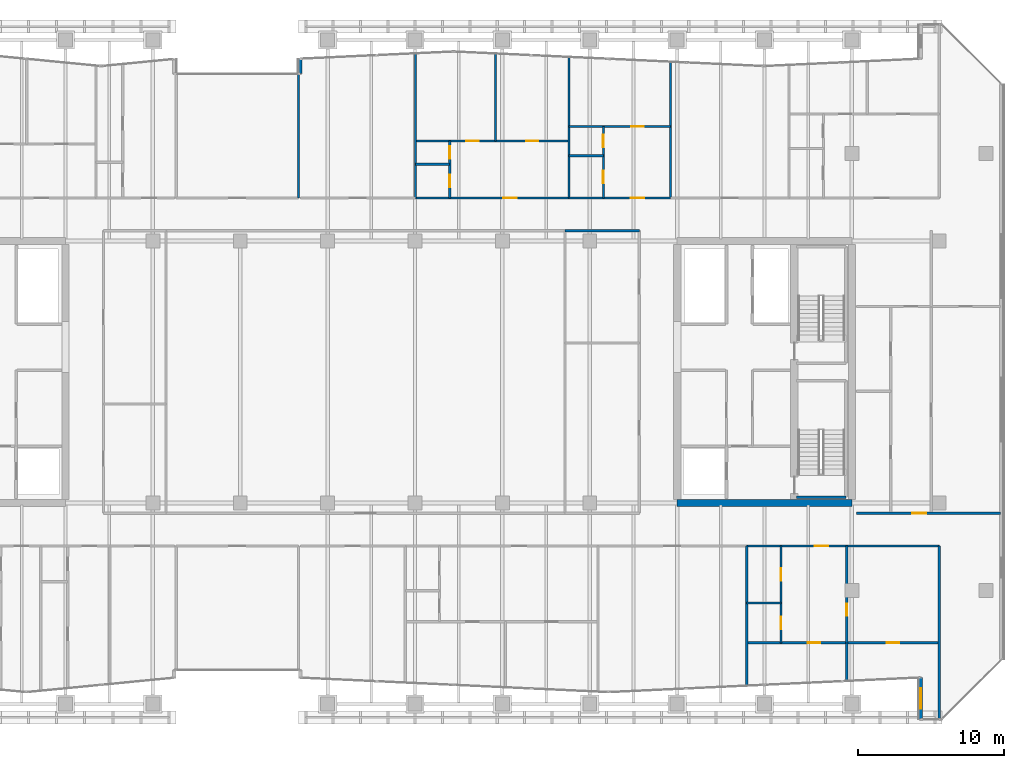
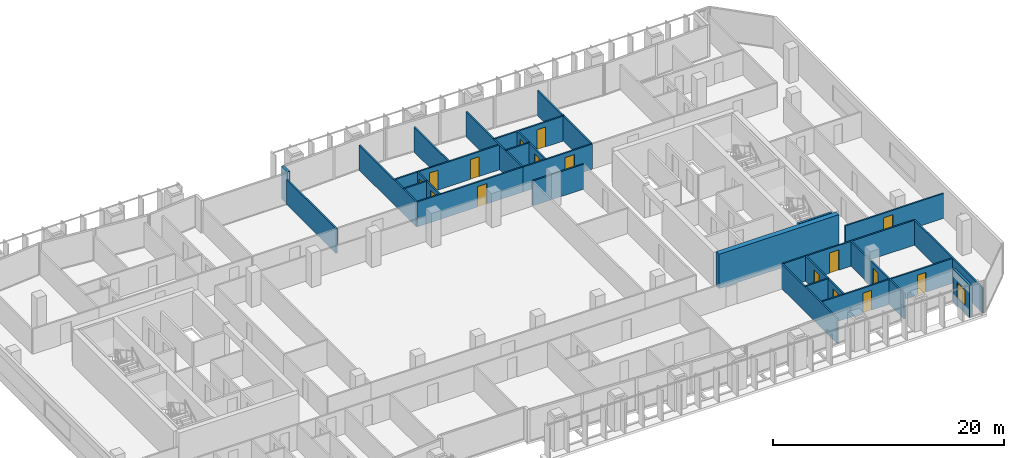
# One storey, part 30 of 39: 27 walls, 16 doors, 1 window, 17 openings.
"""IFC4 building model written with IfcOpenShell, lengths in metres."""

from ifc_helpers import new_model, si_unit, direction, frame, frame_2d, origin, place, context, subcontext, project, spatial, rectangle, extrude, material, layer, layer_set, type_object, element, fill, save


model = new_model("IFC4")

# Units and contexts
model_context = context("Model", 3, precision=1e-05, world=origin(), true_north=direction((0.0, 1.0)))
body_context = subcontext(model_context, "Body", "Model", "MODEL_VIEW")
ifc_project = project(units=[si_unit("LENGTHUNIT", "METRE"), si_unit("AREAUNIT", "SQUARE_METRE"), si_unit("VOLUMEUNIT", "CUBIC_METRE"), si_unit("PLANEANGLEUNIT", "RADIAN"), si_unit("MASSUNIT", "GRAM", prefix="KILO")], contexts=[model_context])

# Site, building, storey
site_placement = place(None, origin())
site = spatial("IfcSite", under=ifc_project, at=site_placement, CompositionType="ELEMENT")
building_placement = place(site_placement, origin())
building = spatial("IfcBuilding", under=site, at=building_placement, Name="Tanjung Sevakor Pilgrim Tower", CompositionType="ELEMENT")
storey_placement = place(building_placement, frame((0.0, 0.0, 112.199951171875)))
storey = spatial("IfcBuildingStorey", under=building, at=storey_placement, Name="L31", CompositionType="ELEMENT", Elevation=112.199951171875)

# Walls
ifc_material_1 = material(Name="Concrete C60/75", Category="concrete")
ifc_layer_1 = layer(ifc_material_1, 0.5)
ifc_layer_set_1 = layer_set([ifc_layer_1], Name="WALL-CW-500")
wall_type_1 = type_object("IfcWallType", Name="WALL-CW-500", PredefinedType="SHEAR", material=ifc_layer_set_1)
wall_1_placement = place(storey_placement, frame((78.0, 24.60009765625, 0.0), z_axis=(0.0, 0.0, 1.0), x_axis=(1.0, 0.0, 0.0)))
element("IfcWall", 1, at=wall_1_placement, inside=storey, type_object=wall_type_1, Name="L31 E Core South Shear Wall", PredefinedType="SHEAR", context=body_context, shape_type="SweptSolid", body=[
    extrude(rectangle(XDim=12.0, YDim=0.5, at=frame_2d((6.0, 0.0))), origin(), (0.0, 0.0, 1.0), 3.630126953125),
])
ifc_material_2 = material(Name="Concrete C40/50", Category="concrete")
ifc_layer_2 = layer(ifc_material_2, 0.14990234375)
ifc_layer_set_2 = layer_set([ifc_layer_2], Name="WT-COMP-150")
wall_type_2 = type_object("IfcWallType", Name="WT-COMP-150", PredefinedType="SOLIDWALL", material=ifc_layer_set_2)
wall_2_placement = place(storey_placement, frame((70.300048828125, 43.300048828125, 0.0), z_axis=(0.0, 0.0, 1.0), x_axis=(1.0, 0.0, 0.0)))
element("IfcWall", 2, at=wall_2_placement, inside=storey, type_object=wall_type_2, Name="L31 Partition IW-L31-033", PredefinedType="SOLIDWALL", context=body_context, shape_type="SweptSolid", body=[
    extrude(rectangle(XDim=5.099853515625, YDim=0.14990234375, at=frame_2d((2.5498046875, 0.0))), origin(), (0.0, 0.0, 1.0), 2.6298828125),
])

# Wall, opening, door
wall_3_placement = place(storey_placement, frame((90.320068359375, 23.89990234375, 0.0), z_axis=(0.0, 0.0, 1.0), x_axis=(1.0, 0.0, 0.0)))
wall_3 = element("IfcWall", 3, at=wall_3_placement, inside=storey, type_object=wall_type_2, Name="L31 Partition IW-L31-041", PredefinedType="SOLIDWALL", context=body_context, shape_type="SweptSolid", body=[
    extrude(rectangle(XDim=9.869873046875, YDim=0.14990234375, at=frame_2d((4.93505859375, 0.0))), origin(), (0.0, 0.0, 1.0), 2.6298828125),
])
opening_1_placement = place(wall_3_placement, frame((3.820068359375, 0.0, 0.0)))
opening_1 = element("IfcOpeningElement", 4, at=opening_1_placement, cuts=wall_3, Name="Opening ID-FD2", PredefinedType="OPENING", context=body_context, shape_type="SweptSolid", body=[
    extrude(rectangle(XDim=0.949951171875, YDim=2.14990234375, at=frame_2d((0.47509765625, 1.074951171875))), frame((0.0, 0.0849609375, 0.0), z_axis=(0.0, -1.0, 0.0), x_axis=(1.0, 0.0, 0.0)), (0.0, 0.0, 1.0), 0.169921875),
])
ifc_material_3 = material(Name="Fire-Rated Timber", Category="wood")
door_type_1 = type_object("IfcDoorType", Name="DT-FIRE-950", OperationType="NOTDEFINED", PredefinedType="DOOR", material=ifc_material_3)
door_1_placement = place(opening_1_placement, origin())
door_1 = element("IfcDoor", 5, at=door_1_placement, inside=storey, type_object=door_type_1, Name="Suite Entrance", OperationType="SINGLE_SWING_LEFT", OverallHeight=2.14990234375, OverallWidth=0.949951171875, PredefinedType="DOOR", context=body_context, shape_type="SweptSolid", body=[
    extrude(rectangle(XDim=0.949951171875, YDim=2.14990234375, at=frame_2d((0.47509765625, 1.074951171875))), frame((0.0, 0.02490234375, 0.0), z_axis=(0.0, -1.0, 0.0), x_axis=(1.0, 0.0, 0.0)), (0.0, 0.0, 1.0), 0.050048828125),
])
fill(opening_1, door_1)

# Walls
wall_4_placement = place(storey_placement, frame((52.0, 45.550048828125, 0.0), z_axis=(0.0, 0.0, 1.0), x_axis=(0.0, 1.0, 0.0)))
element("IfcWall", 6, at=wall_4_placement, inside=storey, type_object=wall_type_2, Name="L31 Partition IW-L31-047", PredefinedType="SOLIDWALL", context=body_context, shape_type="SweptSolid", body=[
    extrude(rectangle(XDim=8.52490234375, YDim=0.14990234375, at=frame_2d((4.262451171875, 0.0))), origin(), (0.0, 0.0, 1.0), 2.6298828125),
])
wall_5_placement = place(storey_placement, frame((96.0, 9.72509765625, 0.0), z_axis=(0.0, 0.0, 1.0), x_axis=(0.0, 1.0, 0.0)))
element("IfcWall", 7, at=wall_5_placement, inside=storey, type_object=wall_type_2, Name="L31 Partition IW-L31-064", PredefinedType="SOLIDWALL", context=body_context, shape_type="SweptSolid", body=[
    extrude(rectangle(XDim=11.9248046875, YDim=0.14990234375, at=frame_2d((5.96240234375, 0.0))), origin(), (0.0, 0.0, 1.0), 2.6298828125),
])
wall_6_placement = place(storey_placement, frame((82.77587890625, 12.050048828125, 0.0), z_axis=(0.0, 0.0, 1.0), x_axis=(0.0, 1.0, 0.0)))
element("IfcWall", 8, at=wall_6_placement, inside=storey, type_object=wall_type_2, Name="L31 Partition IW-L31-073", PredefinedType="SOLIDWALL", context=body_context, shape_type="SweptSolid", body=[
    extrude(rectangle(XDim=9.599853515625, YDim=0.14990234375, at=frame_2d((4.7998046875, 0.0))), origin(), (0.0, 0.0, 1.0), 2.6298828125),
])

# Wall, opening, door
wall_7_placement = place(storey_placement, frame((82.77587890625, 21.64990234375, 0.0), z_axis=(0.0, 0.0, 1.0), x_axis=(1.0, 0.0, 0.0)))
wall_7 = element("IfcWall", 9, at=wall_7_placement, inside=storey, type_object=wall_type_2, Name="L31 Partition IW-L31-080", PredefinedType="SOLIDWALL", context=body_context, shape_type="SweptSolid", body=[
    extrude(rectangle(XDim=13.22412109375, YDim=0.14990234375, at=frame_2d((6.612060546875, 0.0))), origin(), (0.0, 0.0, 1.0), 2.6298828125),
])
opening_2_placement = place(wall_7_placement, frame((4.658447265625, 0.0, 0.0)))
opening_2 = element("IfcOpeningElement", 10, at=opening_2_placement, cuts=wall_7, Name="Opening ID-FD2", PredefinedType="OPENING", context=body_context, shape_type="SweptSolid", body=[
    extrude(rectangle(XDim=0.949951171875, YDim=2.14990234375, at=frame_2d((0.47509765625, 1.074951171875))), frame((0.0, 0.0849609375, 0.0), z_axis=(0.0, -1.0, 0.0), x_axis=(1.0, 0.0, 0.0)), (0.0, 0.0, 1.0), 0.169921875),
])
door_2_placement = place(opening_2_placement, origin())
door_2 = element("IfcDoor", 11, at=door_2_placement, inside=storey, type_object=door_type_1, Name="Suite Entrance", OperationType="SINGLE_SWING_RIGHT", OverallHeight=2.14990234375, OverallWidth=0.949951171875, PredefinedType="DOOR", context=body_context, shape_type="SweptSolid", body=[
    extrude(rectangle(XDim=0.949951171875, YDim=2.14990234375, at=frame_2d((0.47509765625, 1.074951171875))), frame((0.0, 0.02490234375, 0.0), z_axis=(0.0, -1.0, 0.0), x_axis=(1.0, 0.0, 0.0)), (0.0, 0.0, 1.0), 0.050048828125),
])
fill(opening_2, door_2)

# Walls
wall_8_placement = place(storey_placement, frame((60.03271484375, 45.550048828125, 0.0), z_axis=(0.0, 0.0, 1.0), x_axis=(0.0, 1.0, 0.0)))
element("IfcWall", 12, at=wall_8_placement, inside=storey, type_object=wall_type_2, Name="L31 Partition IW-L31-094", PredefinedType="SOLIDWALL", context=body_context, shape_type="SweptSolid", body=[
    extrude(rectangle(XDim=9.921875, YDim=0.14990234375, at=frame_2d((4.9609375, 0.0))), origin(), (0.0, 0.0, 1.0), 2.6298828125),
])
wall_9_placement = place(storey_placement, frame((70.583251953125, 45.550048828125, 0.0), z_axis=(0.0, 0.0, 1.0), x_axis=(0.0, 1.0, 0.0)))
element("IfcWall", 13, at=wall_9_placement, inside=storey, type_object=wall_type_2, Name="L31 Partition IW-L31-096", PredefinedType="SOLIDWALL", context=body_context, shape_type="SweptSolid", body=[
    extrude(rectangle(XDim=9.67236328125, YDim=0.14990234375, at=frame_2d((4.836181640625, 0.0))), origin(), (0.0, 0.0, 1.0), 2.6298828125),
])

# Wall, opening, door
wall_10_placement = place(storey_placement, frame((60.03271484375, 45.550048828125, 0.0), z_axis=(0.0, 0.0, 1.0), x_axis=(1.0, 0.0, 0.0)))
wall_10 = element("IfcWall", 14, at=wall_10_placement, inside=storey, type_object=wall_type_2, Name="L31 Partition IW-L31-101", PredefinedType="SOLIDWALL", context=body_context, shape_type="SweptSolid", body=[
    extrude(rectangle(XDim=10.550537109375, YDim=0.14990234375, at=frame_2d((5.275390625, 0.0))), origin(), (0.0, 0.0, 1.0), 2.6298828125),
])
opening_3_placement = place(wall_10_placement, frame((6.01513671875, 0.0, 0.0)))
opening_3 = element("IfcOpeningElement", 15, at=opening_3_placement, cuts=wall_10, Name="Opening ID-FD2", PredefinedType="OPENING", context=body_context, shape_type="SweptSolid", body=[
    extrude(rectangle(XDim=0.949951171875, YDim=2.14990234375, at=frame_2d((0.47509765625, 1.074951171875))), frame((0.0, 0.0849609375, 0.0), z_axis=(0.0, -1.0, 0.0), x_axis=(1.0, 0.0, 0.0)), (0.0, 0.0, 1.0), 0.169921875),
])
door_3_placement = place(opening_3_placement, origin())
door_3 = element("IfcDoor", 16, at=door_3_placement, inside=storey, type_object=door_type_1, Name="Suite Entrance", OperationType="SINGLE_SWING_LEFT", OverallHeight=2.14990234375, OverallWidth=0.949951171875, PredefinedType="DOOR", context=body_context, shape_type="SweptSolid", body=[
    extrude(rectangle(XDim=0.949951171875, YDim=2.14990234375, at=frame_2d((0.47509765625, 1.074951171875))), frame((0.0, 0.02490234375, 0.0), z_axis=(0.0, -1.0, 0.0), x_axis=(1.0, 0.0, 0.0)), (0.0, 0.0, 1.0), 0.050048828125),
])
fill(opening_3, door_3)

# Wall
wall_11_placement = place(storey_placement, frame((77.536865234375, 45.550048828125, 0.0), z_axis=(0.0, 0.0, 1.0), x_axis=(0.0, 1.0, 0.0)))
element("IfcWall", 17, at=wall_11_placement, inside=storey, type_object=wall_type_2, Name="L31 Partition IW-L31-102", PredefinedType="SOLIDWALL", context=body_context, shape_type="SweptSolid", body=[
    extrude(rectangle(XDim=9.345947265625, YDim=0.14990234375, at=frame_2d((4.6728515625, 0.0))), origin(), (0.0, 0.0, 1.0), 2.6298828125),
])

# Wall, opening, door
wall_12_placement = place(storey_placement, frame((70.583251953125, 45.550048828125, 0.0), z_axis=(0.0, 0.0, 1.0), x_axis=(1.0, 0.0, 0.0)))
wall_12 = element("IfcWall", 18, at=wall_12_placement, inside=storey, type_object=wall_type_2, Name="L31 Partition IW-L31-106", PredefinedType="SOLIDWALL", context=body_context, shape_type="SweptSolid", body=[
    extrude(rectangle(XDim=6.95361328125, YDim=0.14990234375, at=frame_2d((3.476806640625, 0.0))), origin(), (0.0, 0.0, 1.0), 2.6298828125),
])
opening_4_placement = place(wall_12_placement, frame((4.216796875, 0.0, 0.0)))
opening_4 = element("IfcOpeningElement", 19, at=opening_4_placement, cuts=wall_12, Name="Opening ID-FD2", PredefinedType="OPENING", context=body_context, shape_type="SweptSolid", body=[
    extrude(rectangle(XDim=0.949951171875, YDim=2.14990234375, at=frame_2d((0.47509765625, 1.074951171875))), frame((0.0, 0.0849609375, 0.0), z_axis=(0.0, -1.0, 0.0), x_axis=(1.0, 0.0, 0.0)), (0.0, 0.0, 1.0), 0.169921875),
])
door_4_placement = place(opening_4_placement, origin())
door_4 = element("IfcDoor", 20, at=door_4_placement, inside=storey, type_object=door_type_1, Name="Residence Entrance", OperationType="SINGLE_SWING_LEFT", OverallHeight=2.14990234375, OverallWidth=0.949951171875, PredefinedType="DOOR", context=body_context, shape_type="SweptSolid", body=[
    extrude(rectangle(XDim=0.949951171875, YDim=2.14990234375, at=frame_2d((0.47509765625, 1.074951171875))), frame((0.0, 0.02490234375, 0.0), z_axis=(0.0, -1.0, 0.0), x_axis=(1.0, 0.0, 0.0)), (0.0, 0.0, 1.0), 0.050048828125),
])
fill(opening_4, door_4)

# Wall, opening, window
ifc_material_4 = material(Name="Precast concrete C45/55", Category="concrete")
ifc_layer_3 = layer(ifc_material_4, 0.25)
ifc_layer_set_3 = layer_set([ifc_layer_3], Name="WT-EW-STN3")
wall_type_3 = type_object("IfcWallType", Name="WT-EW-STN3", PredefinedType="SOLIDWALL", material=ifc_layer_set_3)
wall_13_placement = place(storey_placement, frame((94.72509765625, 12.611083984375, 0.0), z_axis=(0.0, 0.0, 1.0), x_axis=(0.0, -1.0, 0.0)))
wall_13 = element("IfcWall", 21, at=wall_13_placement, inside=storey, type_object=wall_type_3, Name="L31 MAIN Exterior Wall 14", PredefinedType="SOLIDWALL", context=body_context, shape_type="SweptSolid", body=[
    extrude(rectangle(XDim=2.885986328125, YDim=0.25, at=frame_2d((1.44287109375, 0.0))), origin(), (0.0, 0.0, 1.0), 3.409912109375),
])
opening_5_placement = place(wall_13_placement, frame((0.742919921875, 0.0, 0.780029296875)))
opening_5 = element("IfcOpeningElement", 22, at=opening_5_placement, cuts=wall_13, Name="Opening WN-END", PredefinedType="OPENING", context=body_context, shape_type="SweptSolid", body=[
    extrude(rectangle(XDim=1.39990234375, YDim=1.64990234375, at=frame_2d((0.699951171875, 0.824951171875))), frame((0.0, 0.135009765625, 0.0), z_axis=(0.0, -1.0, 0.0), x_axis=(1.0, 0.0, 0.0)), (0.0, 0.0, 1.0), 0.27001953125),
])
ifc_material_5 = material(Name="Thermally Broken Aluminium and Low-E Glass", Category="aluminium")
window_type = type_object("IfcWindowType", Name="WTYP-WN-END", PartitioningType="SINGLE_PANEL", PredefinedType="WINDOW", material=ifc_material_5)
window_placement = place(opening_5_placement, origin())
window = element("IfcWindow", 23, at=window_placement, inside=storey, type_object=window_type, Name="L31 Facade Window 01", OverallHeight=1.64990234375, OverallWidth=1.39990234375, PartitioningType="SINGLE_PANEL", PredefinedType="WINDOW", context=body_context, shape_type="SweptSolid", body=[
    extrude(rectangle(XDim=1.39990234375, YDim=1.64990234375, at=frame_2d((0.699951171875, 0.824951171875))), frame((0.0, 0.030029296875, 0.0), z_axis=(0.0, -1.0, 0.0), x_axis=(1.0, 0.0, 0.0)), (0.0, 0.0, 1.0), 0.06005859375),
])
fill(opening_5, window)

# Walls
wall_14_placement = place(storey_placement, frame((52.125, 55.1005859375, 0.0), z_axis=(0.0, 0.0, 1.0), x_axis=(0.0, -1.0, 0.0)))
element("IfcWall", 24, at=wall_14_placement, inside=storey, type_object=wall_type_3, Name="L31 MAIN Exterior Wall 25", PredefinedType="SOLIDWALL", context=body_context, shape_type="SweptSolid", body=[
    extrude(rectangle(XDim=1.025634765625, YDim=0.25, at=frame_2d((0.5126953125, 0.0))), origin(), (0.0, 0.0, 1.0), 3.409912109375),
])
ifc_material_6 = material(Name="Concrete C40/50", Category="concrete")
ifc_layer_4 = layer(ifc_material_6, 0.199951171875)
ifc_layer_set_4 = layer_set([ifc_layer_4], Name="WT-FIRE-200")
wall_type_4 = type_object("IfcWallType", Name="WT-FIRE-200", PredefinedType="SOLIDWALL", material=ifc_layer_set_4)
wall_15_placement = place(storey_placement, frame((86.199951171875, 25.0, 0.0), z_axis=(0.0, 0.0, 1.0), x_axis=(1.0, 0.0, 0.0)))
element("IfcWall", 25, at=wall_15_placement, inside=storey, type_object=wall_type_4, Name="L31 TS-E1 Shaft Wall 1", PredefinedType="SOLIDWALL", context=body_context, shape_type="SweptSolid", body=[
    extrude(rectangle(XDim=3.400146484375, YDim=0.199951171875, at=frame_2d((1.7001953125, 0.0))), origin(), (0.0, 0.0, 1.0), 3.630126953125),
])

# Wall, opening, door
ifc_material_7 = material(Name="Gypsum Board Partition", Category="gypsum board")
ifc_layer_5 = layer(ifc_material_7, 0.14990234375)
ifc_layer_set_5 = layer_set([ifc_layer_5], Name="WT-PART-150")
wall_type_5 = type_object("IfcWallType", Name="WT-PART-150", PredefinedType="PARTITIONING", material=ifc_layer_set_5)
wall_16_placement = place(storey_placement, frame((89.65234375, 15.0, 0.0), z_axis=(0.0, 0.0, 1.0), x_axis=(0.0, 1.0, 0.0)))
wall_16 = element("IfcWall", 26, at=wall_16_placement, inside=storey, type_object=wall_type_5, Name="L31 Partition IW-L31-075", PredefinedType="PARTITIONING", context=body_context, shape_type="SweptSolid", body=[
    extrude(rectangle(XDim=6.64990234375, YDim=0.14990234375, at=frame_2d((3.324951171875, 0.0))), origin(), (0.0, 0.0, 1.0), 2.6298828125),
])
opening_6_placement = place(wall_16_placement, frame((1.85009765625, 0.0, 0.0)))
opening_6 = element("IfcOpeningElement", 27, at=opening_6_placement, cuts=wall_16, Name="Opening ID-WC1", PredefinedType="OPENING", context=body_context, shape_type="SweptSolid", body=[
    extrude(rectangle(XDim=0.85009765625, YDim=2.10009765625, at=frame_2d((0.425048828125, 1.050048828125))), frame((0.0, 0.0849609375, 0.0), z_axis=(0.0, -1.0, 0.0), x_axis=(1.0, 0.0, 0.0)), (0.0, 0.0, 1.0), 0.169921875),
])
ifc_material_8 = material(Name="Moisture-Resistant Timber", Category="wood")
door_type_2 = type_object("IfcDoorType", Name="DT-INT-850", OperationType="NOTDEFINED", PredefinedType="DOOR", material=ifc_material_8)
door_5_placement = place(opening_6_placement, origin())
door_5 = element("IfcDoor", 28, at=door_5_placement, inside=storey, type_object=door_type_2, Name="Suite Study Room Door", OperationType="SINGLE_SWING_LEFT", OverallHeight=2.10009765625, OverallWidth=0.85009765625, PredefinedType="DOOR", context=body_context, shape_type="SweptSolid", body=[
    extrude(rectangle(XDim=0.85009765625, YDim=2.10009765625, at=frame_2d((0.425048828125, 1.050048828125))), frame((0.0, 0.02490234375, 0.0), z_axis=(0.0, -1.0, 0.0), x_axis=(1.0, 0.0, 0.0)), (0.0, 0.0, 1.0), 0.050048828125),
])
fill(opening_6, door_5)

# Wall
wall_17_placement = place(storey_placement, frame((82.77587890625, 17.7265625, 0.0), z_axis=(0.0, 0.0, 1.0), x_axis=(1.0, 0.0, 0.0)))
element("IfcWall", 29, at=wall_17_placement, inside=storey, type_object=wall_type_5, Name="L31 Partition IW-L31-076", PredefinedType="PARTITIONING", context=body_context, shape_type="SweptSolid", body=[
    extrude(rectangle(XDim=2.35009765625, YDim=0.14990234375, at=frame_2d((1.175048828125, 0.0))), origin(), (0.0, 0.0, 1.0), 2.6298828125),
])

# Wall, openings, doors
wall_18_placement = place(storey_placement, frame((85.1259765625, 15.0, 0.0), z_axis=(0.0, 0.0, 1.0), x_axis=(0.0, 1.0, 0.0)))
wall_18 = element("IfcWall", 30, at=wall_18_placement, inside=storey, type_object=wall_type_5, Name="L31 Partition IW-L31-077", PredefinedType="PARTITIONING", context=body_context, shape_type="SweptSolid", body=[
    extrude(rectangle(XDim=6.64990234375, YDim=0.14990234375, at=frame_2d((3.324951171875, 0.0))), origin(), (0.0, 0.0, 1.0), 2.6298828125),
])
opening_7_placement = place(wall_18_placement, frame((0.938232421875, 0.0, 0.0)))
opening_7 = element("IfcOpeningElement", 31, at=opening_7_placement, cuts=wall_18, Name="Opening ID-WC1", PredefinedType="OPENING", context=body_context, shape_type="SweptSolid", body=[
    extrude(rectangle(XDim=0.85009765625, YDim=2.10009765625, at=frame_2d((0.425048828125, 1.050048828125))), frame((0.0, 0.0849609375, 0.0), z_axis=(0.0, -1.0, 0.0), x_axis=(1.0, 0.0, 0.0)), (0.0, 0.0, 1.0), 0.169921875),
])
opening_8_placement = place(wall_18_placement, frame((4.26318359375, 0.0, 0.0)))
opening_8 = element("IfcOpeningElement", 32, at=opening_8_placement, cuts=wall_18, Name="Opening ID-WC1", PredefinedType="OPENING", context=body_context, shape_type="SweptSolid", body=[
    extrude(rectangle(XDim=0.85009765625, YDim=2.10009765625, at=frame_2d((0.425048828125, 1.050048828125))), frame((0.0, 0.0849609375, 0.0), z_axis=(0.0, -1.0, 0.0), x_axis=(1.0, 0.0, 0.0)), (0.0, 0.0, 1.0), 0.169921875),
])
door_6_placement = place(opening_7_placement, origin())
door_6 = element("IfcDoor", 33, at=door_6_placement, inside=storey, type_object=door_type_2, Name="Suite Bathroom Door", OperationType="SINGLE_SWING_RIGHT", OverallHeight=2.10009765625, OverallWidth=0.85009765625, PredefinedType="DOOR", context=body_context, shape_type="SweptSolid", body=[
    extrude(rectangle(XDim=0.85009765625, YDim=2.10009765625, at=frame_2d((0.425048828125, 1.050048828125))), frame((0.0, 0.02490234375, 0.0), z_axis=(0.0, -1.0, 0.0), x_axis=(1.0, 0.0, 0.0)), (0.0, 0.0, 1.0), 0.050048828125),
])
fill(opening_7, door_6)
door_7_placement = place(opening_8_placement, origin())
door_7 = element("IfcDoor", 34, at=door_7_placement, inside=storey, type_object=door_type_2, Name="Suite Kitchenette Door", OperationType="SINGLE_SWING_LEFT", OverallHeight=2.10009765625, OverallWidth=0.85009765625, PredefinedType="DOOR", context=body_context, shape_type="SweptSolid", body=[
    extrude(rectangle(XDim=0.85009765625, YDim=2.10009765625, at=frame_2d((0.425048828125, 1.050048828125))), frame((0.0, 0.02490234375, 0.0), z_axis=(0.0, -1.0, 0.0), x_axis=(1.0, 0.0, 0.0)), (0.0, 0.0, 1.0), 0.050048828125),
])
fill(opening_8, door_7)

# Wall
wall_19_placement = place(storey_placement, frame((89.65234375, 12.372802734375, 0.0), z_axis=(0.0, 0.0, 1.0), x_axis=(0.0, 1.0, 0.0)))
element("IfcWall", 35, at=wall_19_placement, inside=storey, type_object=wall_type_5, Name="L31 Partition IW-L31-078", PredefinedType="PARTITIONING", context=body_context, shape_type="SweptSolid", body=[
    extrude(rectangle(XDim=2.627197265625, YDim=0.14990234375, at=frame_2d((1.3134765625, 0.0))), origin(), (0.0, 0.0, 1.0), 2.6298828125),
])

# Wall, openings, doors
wall_20_placement = place(storey_placement, frame((82.77587890625, 15.0, 0.0), z_axis=(0.0, 0.0, 1.0), x_axis=(1.0, 0.0, 0.0)))
wall_20 = element("IfcWall", 36, at=wall_20_placement, inside=storey, type_object=wall_type_5, Name="L31 Partition IW-L31-079", PredefinedType="PARTITIONING", context=body_context, shape_type="SweptSolid", body=[
    extrude(rectangle(XDim=13.22412109375, YDim=0.14990234375, at=frame_2d((6.612060546875, 0.0))), origin(), (0.0, 0.0, 1.0), 2.6298828125),
])
opening_9_placement = place(wall_20_placement, frame((4.188232421875, 0.0, 0.0)))
opening_9 = element("IfcOpeningElement", 37, at=opening_9_placement, cuts=wall_20, Name="Opening ID-WC1", PredefinedType="OPENING", context=body_context, shape_type="SweptSolid", body=[
    extrude(rectangle(XDim=0.85009765625, YDim=2.10009765625, at=frame_2d((0.425048828125, 1.050048828125))), frame((0.0, 0.0849609375, 0.0), z_axis=(0.0, -1.0, 0.0), x_axis=(1.0, 0.0, 0.0)), (0.0, 0.0, 1.0), 0.169921875),
])
opening_10_placement = place(wall_20_placement, frame((9.625244140625, 0.0, 0.0)))
opening_10 = element("IfcOpeningElement", 38, at=opening_10_placement, cuts=wall_20, Name="Opening ID-WC1", PredefinedType="OPENING", context=body_context, shape_type="SweptSolid", body=[
    extrude(rectangle(XDim=0.85009765625, YDim=2.10009765625, at=frame_2d((0.425048828125, 1.050048828125))), frame((0.0, 0.0849609375, 0.0), z_axis=(0.0, -1.0, 0.0), x_axis=(1.0, 0.0, 0.0)), (0.0, 0.0, 1.0), 0.169921875),
])
door_8_placement = place(opening_9_placement, origin())
door_8 = element("IfcDoor", 39, at=door_8_placement, inside=storey, type_object=door_type_2, Name="Suite Bedroom 1 Door", OperationType="SINGLE_SWING_RIGHT", OverallHeight=2.10009765625, OverallWidth=0.85009765625, PredefinedType="DOOR", context=body_context, shape_type="SweptSolid", body=[
    extrude(rectangle(XDim=0.85009765625, YDim=2.10009765625, at=frame_2d((0.425048828125, 1.050048828125))), frame((0.0, 0.02490234375, 0.0), z_axis=(0.0, -1.0, 0.0), x_axis=(1.0, 0.0, 0.0)), (0.0, 0.0, 1.0), 0.050048828125),
])
fill(opening_9, door_8)
door_9_placement = place(opening_10_placement, origin())
door_9 = element("IfcDoor", 40, at=door_9_placement, inside=storey, type_object=door_type_2, Name="Suite Bedroom 2 Door", OperationType="SINGLE_SWING_LEFT", OverallHeight=2.10009765625, OverallWidth=0.85009765625, PredefinedType="DOOR", context=body_context, shape_type="SweptSolid", body=[
    extrude(rectangle(XDim=0.85009765625, YDim=2.10009765625, at=frame_2d((0.425048828125, 1.050048828125))), frame((0.0, 0.02490234375, 0.0), z_axis=(0.0, -1.0, 0.0), x_axis=(1.0, 0.0, 0.0)), (0.0, 0.0, 1.0), 0.050048828125),
])
fill(opening_10, door_9)

# Wall
wall_21_placement = place(storey_placement, frame((60.03271484375, 47.862060546875, 0.0), z_axis=(0.0, 0.0, 1.0), x_axis=(1.0, 0.0, 0.0)))
element("IfcWall", 41, at=wall_21_placement, inside=storey, type_object=wall_type_5, Name="L31 Partition IW-L31-097", PredefinedType="PARTITIONING", context=body_context, shape_type="SweptSolid", body=[
    extrude(rectangle(XDim=2.35009765625, YDim=0.14990234375, at=frame_2d((1.175048828125, 0.0))), origin(), (0.0, 0.0, 1.0), 2.6298828125),
])

# Wall, openings, doors
wall_22_placement = place(storey_placement, frame((62.3828125, 45.550048828125, 0.0), z_axis=(0.0, 0.0, 1.0), x_axis=(0.0, 1.0, 0.0)))
wall_22 = element("IfcWall", 42, at=wall_22_placement, inside=storey, type_object=wall_type_5, Name="L31 Partition IW-L31-098", PredefinedType="PARTITIONING", context=body_context, shape_type="SweptSolid", body=[
    extrude(rectangle(XDim=3.91845703125, YDim=0.14990234375, at=frame_2d((1.959228515625, 0.0))), origin(), (0.0, 0.0, 1.0), 2.6298828125),
])
opening_11_placement = place(wall_22_placement, frame((0.73095703125, 0.0, 0.0)))
opening_11 = element("IfcOpeningElement", 43, at=opening_11_placement, cuts=wall_22, Name="Opening ID-WC1", PredefinedType="OPENING", context=body_context, shape_type="SweptSolid", body=[
    extrude(rectangle(XDim=0.85009765625, YDim=2.10009765625, at=frame_2d((0.425048828125, 1.050048828125))), frame((0.0, 0.0849609375, 0.0), z_axis=(0.0, -1.0, 0.0), x_axis=(1.0, 0.0, 0.0)), (0.0, 0.0, 1.0), 0.169921875),
])
opening_12_placement = place(wall_22_placement, frame((2.690185546875, 0.0, 0.0)))
opening_12 = element("IfcOpeningElement", 44, at=opening_12_placement, cuts=wall_22, Name="Opening ID-WC1", PredefinedType="OPENING", context=body_context, shape_type="SweptSolid", body=[
    extrude(rectangle(XDim=0.85009765625, YDim=2.10009765625, at=frame_2d((0.425048828125, 1.050048828125))), frame((0.0, 0.0849609375, 0.0), z_axis=(0.0, -1.0, 0.0), x_axis=(1.0, 0.0, 0.0)), (0.0, 0.0, 1.0), 0.169921875),
])
door_10_placement = place(opening_11_placement, origin())
door_10 = element("IfcDoor", 45, at=door_10_placement, inside=storey, type_object=door_type_2, Name="Suite Kitchenette Door", OperationType="SINGLE_SWING_LEFT", OverallHeight=2.10009765625, OverallWidth=0.85009765625, PredefinedType="DOOR", context=body_context, shape_type="SweptSolid", body=[
    extrude(rectangle(XDim=0.85009765625, YDim=2.10009765625, at=frame_2d((0.425048828125, 1.050048828125))), frame((0.0, 0.02490234375, 0.0), z_axis=(0.0, -1.0, 0.0), x_axis=(1.0, 0.0, 0.0)), (0.0, 0.0, 1.0), 0.050048828125),
])
fill(opening_11, door_10)
door_11_placement = place(opening_12_placement, origin())
door_11 = element("IfcDoor", 46, at=door_11_placement, inside=storey, type_object=door_type_2, Name="Suite Bathroom Door", OperationType="SINGLE_SWING_RIGHT", OverallHeight=2.10009765625, OverallWidth=0.85009765625, PredefinedType="DOOR", context=body_context, shape_type="SweptSolid", body=[
    extrude(rectangle(XDim=0.85009765625, YDim=2.10009765625, at=frame_2d((0.425048828125, 1.050048828125))), frame((0.0, 0.02490234375, 0.0), z_axis=(0.0, -1.0, 0.0), x_axis=(1.0, 0.0, 0.0)), (0.0, 0.0, 1.0), 0.050048828125),
])
fill(opening_12, door_11)

# Wall
wall_23_placement = place(storey_placement, frame((65.51904296875, 49.468505859375, 0.0), z_axis=(0.0, 0.0, 1.0), x_axis=(0.0, 1.0, 0.0)))
element("IfcWall", 47, at=wall_23_placement, inside=storey, type_object=wall_type_5, Name="L31 Partition IW-L31-099", PredefinedType="PARTITIONING", context=body_context, shape_type="SweptSolid", body=[
    extrude(rectangle(XDim=5.99169921875, YDim=0.14990234375, at=frame_2d((2.995849609375, 0.0))), origin(), (0.0, 0.0, 1.0), 2.6298828125),
])

# Wall, openings, doors
wall_24_placement = place(storey_placement, frame((60.03271484375, 49.468505859375, 0.0), z_axis=(0.0, 0.0, 1.0), x_axis=(1.0, 0.0, 0.0)))
wall_24 = element("IfcWall", 48, at=wall_24_placement, inside=storey, type_object=wall_type_5, Name="L31 Partition IW-L31-100", PredefinedType="PARTITIONING", context=body_context, shape_type="SweptSolid", body=[
    extrude(rectangle(XDim=10.550537109375, YDim=0.14990234375, at=frame_2d((5.275390625, 0.0))), origin(), (0.0, 0.0, 1.0), 2.6298828125),
])
opening_13_placement = place(wall_24_placement, frame((3.4931640625, 0.0, 0.0)))
opening_13 = element("IfcOpeningElement", 49, at=opening_13_placement, cuts=wall_24, Name="Opening ID-WC1", PredefinedType="OPENING", context=body_context, shape_type="SweptSolid", body=[
    extrude(rectangle(XDim=0.85009765625, YDim=2.10009765625, at=frame_2d((0.425048828125, 1.050048828125))), frame((0.0, 0.0849609375, 0.0), z_axis=(0.0, -1.0, 0.0), x_axis=(1.0, 0.0, 0.0)), (0.0, 0.0, 1.0), 0.169921875),
])
opening_14_placement = place(wall_24_placement, frame((7.59326171875, 0.0, 0.0)))
opening_14 = element("IfcOpeningElement", 50, at=opening_14_placement, cuts=wall_24, Name="Opening ID-WC1", PredefinedType="OPENING", context=body_context, shape_type="SweptSolid", body=[
    extrude(rectangle(XDim=0.85009765625, YDim=2.10009765625, at=frame_2d((0.425048828125, 1.050048828125))), frame((0.0, 0.0849609375, 0.0), z_axis=(0.0, -1.0, 0.0), x_axis=(1.0, 0.0, 0.0)), (0.0, 0.0, 1.0), 0.169921875),
])
door_12_placement = place(opening_13_placement, origin())
door_12 = element("IfcDoor", 51, at=door_12_placement, inside=storey, type_object=door_type_2, Name="Suite Bedroom 1 Door", OperationType="SINGLE_SWING_LEFT", OverallHeight=2.10009765625, OverallWidth=0.85009765625, PredefinedType="DOOR", context=body_context, shape_type="SweptSolid", body=[
    extrude(rectangle(XDim=0.85009765625, YDim=2.10009765625, at=frame_2d((0.425048828125, 1.050048828125))), frame((0.0, 0.02490234375, 0.0), z_axis=(0.0, -1.0, 0.0), x_axis=(1.0, 0.0, 0.0)), (0.0, 0.0, 1.0), 0.050048828125),
])
fill(opening_13, door_12)
door_13_placement = place(opening_14_placement, origin())
door_13 = element("IfcDoor", 52, at=door_13_placement, inside=storey, type_object=door_type_2, Name="Suite Bedroom 2 Door", OperationType="SINGLE_SWING_RIGHT", OverallHeight=2.10009765625, OverallWidth=0.85009765625, PredefinedType="DOOR", context=body_context, shape_type="SweptSolid", body=[
    extrude(rectangle(XDim=0.85009765625, YDim=2.10009765625, at=frame_2d((0.425048828125, 1.050048828125))), frame((0.0, 0.02490234375, 0.0), z_axis=(0.0, -1.0, 0.0), x_axis=(1.0, 0.0, 0.0)), (0.0, 0.0, 1.0), 0.050048828125),
])
fill(opening_14, door_13)

# Wall
wall_25_placement = place(storey_placement, frame((70.583251953125, 48.44970703125, 0.0), z_axis=(0.0, 0.0, 1.0), x_axis=(1.0, 0.0, 0.0)))
element("IfcWall", 53, at=wall_25_placement, inside=storey, type_object=wall_type_5, Name="L31 Partition IW-L31-103", PredefinedType="PARTITIONING", context=body_context, shape_type="SweptSolid", body=[
    extrude(rectangle(XDim=2.349853515625, YDim=0.14990234375, at=frame_2d((1.1748046875, 0.0))), origin(), (0.0, 0.0, 1.0), 2.6298828125),
])

# Wall, openings, doors
wall_26_placement = place(storey_placement, frame((72.93310546875, 45.550048828125, 0.0), z_axis=(0.0, 0.0, 1.0), x_axis=(0.0, 1.0, 0.0)))
wall_26 = element("IfcWall", 54, at=wall_26_placement, inside=storey, type_object=wall_type_5, Name="L31 Partition IW-L31-104", PredefinedType="PARTITIONING", context=body_context, shape_type="SweptSolid", body=[
    extrude(rectangle(XDim=4.9150390625, YDim=0.14990234375, at=frame_2d((2.45751953125, 0.0))), origin(), (0.0, 0.0, 1.0), 2.6298828125),
])
opening_15_placement = place(wall_26_placement, frame((1.02490234375, 0.0, 0.0)))
opening_15 = element("IfcOpeningElement", 55, at=opening_15_placement, cuts=wall_26, Name="Opening ID-WC1", PredefinedType="OPENING", context=body_context, shape_type="SweptSolid", body=[
    extrude(rectangle(XDim=0.85009765625, YDim=2.10009765625, at=frame_2d((0.425048828125, 1.050048828125))), frame((0.0, 0.0849609375, 0.0), z_axis=(0.0, -1.0, 0.0), x_axis=(1.0, 0.0, 0.0)), (0.0, 0.0, 1.0), 0.169921875),
])
opening_16_placement = place(wall_26_placement, frame((3.482421875, 0.0, 0.0)))
opening_16 = element("IfcOpeningElement", 56, at=opening_16_placement, cuts=wall_26, Name="Opening ID-WC1", PredefinedType="OPENING", context=body_context, shape_type="SweptSolid", body=[
    extrude(rectangle(XDim=0.85009765625, YDim=2.10009765625, at=frame_2d((0.425048828125, 1.050048828125))), frame((0.0, 0.0849609375, 0.0), z_axis=(0.0, -1.0, 0.0), x_axis=(1.0, 0.0, 0.0)), (0.0, 0.0, 1.0), 0.169921875),
])
door_14_placement = place(opening_15_placement, origin())
door_14 = element("IfcDoor", 57, at=door_14_placement, inside=storey, type_object=door_type_2, Name="Residence Kitchenette Door", OperationType="SINGLE_SWING_RIGHT", OverallHeight=2.10009765625, OverallWidth=0.85009765625, PredefinedType="DOOR", context=body_context, shape_type="SweptSolid", body=[
    extrude(rectangle(XDim=0.85009765625, YDim=2.10009765625, at=frame_2d((0.425048828125, 1.050048828125))), frame((0.0, 0.02490234375, 0.0), z_axis=(0.0, -1.0, 0.0), x_axis=(1.0, 0.0, 0.0)), (0.0, 0.0, 1.0), 0.050048828125),
])
fill(opening_15, door_14)
door_15_placement = place(opening_16_placement, origin())
door_15 = element("IfcDoor", 58, at=door_15_placement, inside=storey, type_object=door_type_2, Name="Residence Bathroom Door", OperationType="SINGLE_SWING_LEFT", OverallHeight=2.10009765625, OverallWidth=0.85009765625, PredefinedType="DOOR", context=body_context, shape_type="SweptSolid", body=[
    extrude(rectangle(XDim=0.85009765625, YDim=2.10009765625, at=frame_2d((0.425048828125, 1.050048828125))), frame((0.0, 0.02490234375, 0.0), z_axis=(0.0, -1.0, 0.0), x_axis=(1.0, 0.0, 0.0)), (0.0, 0.0, 1.0), 0.050048828125),
])
fill(opening_16, door_15)

# Wall, opening, door
wall_27_placement = place(storey_placement, frame((70.583251953125, 50.465087890625, 0.0), z_axis=(0.0, 0.0, 1.0), x_axis=(1.0, 0.0, 0.0)))
wall_27 = element("IfcWall", 59, at=wall_27_placement, inside=storey, type_object=wall_type_5, Name="L31 Partition IW-L31-105", PredefinedType="PARTITIONING", context=body_context, shape_type="SweptSolid", body=[
    extrude(rectangle(XDim=6.95361328125, YDim=0.14990234375, at=frame_2d((3.476806640625, 0.0))), origin(), (0.0, 0.0, 1.0), 2.6298828125),
])
opening_17_placement = place(wall_27_placement, frame((4.266845703125, 0.0, 0.0)))
opening_17 = element("IfcOpeningElement", 60, at=opening_17_placement, cuts=wall_27, Name="Opening ID-WC1", PredefinedType="OPENING", context=body_context, shape_type="SweptSolid", body=[
    extrude(rectangle(XDim=0.85009765625, YDim=2.10009765625, at=frame_2d((0.425048828125, 1.050048828125))), frame((0.0, 0.0849609375, 0.0), z_axis=(0.0, -1.0, 0.0), x_axis=(1.0, 0.0, 0.0)), (0.0, 0.0, 1.0), 0.169921875),
])
door_16_placement = place(opening_17_placement, origin())
door_16 = element("IfcDoor", 61, at=door_16_placement, inside=storey, type_object=door_type_2, Name="Residence Bedroom Door", OperationType="SINGLE_SWING_RIGHT", OverallHeight=2.10009765625, OverallWidth=0.85009765625, PredefinedType="DOOR", context=body_context, shape_type="SweptSolid", body=[
    extrude(rectangle(XDim=0.85009765625, YDim=2.10009765625, at=frame_2d((0.425048828125, 1.050048828125))), frame((0.0, 0.02490234375, 0.0), z_axis=(0.0, -1.0, 0.0), x_axis=(1.0, 0.0, 0.0)), (0.0, 0.0, 1.0), 0.050048828125),
])
fill(opening_17, door_16)

save(model, "model.ifc")
